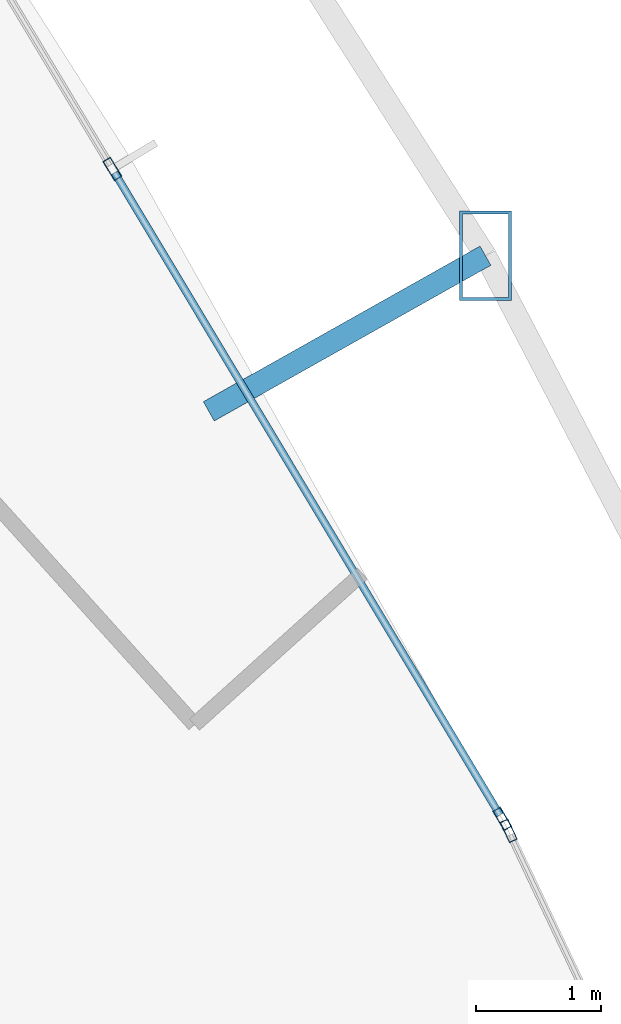
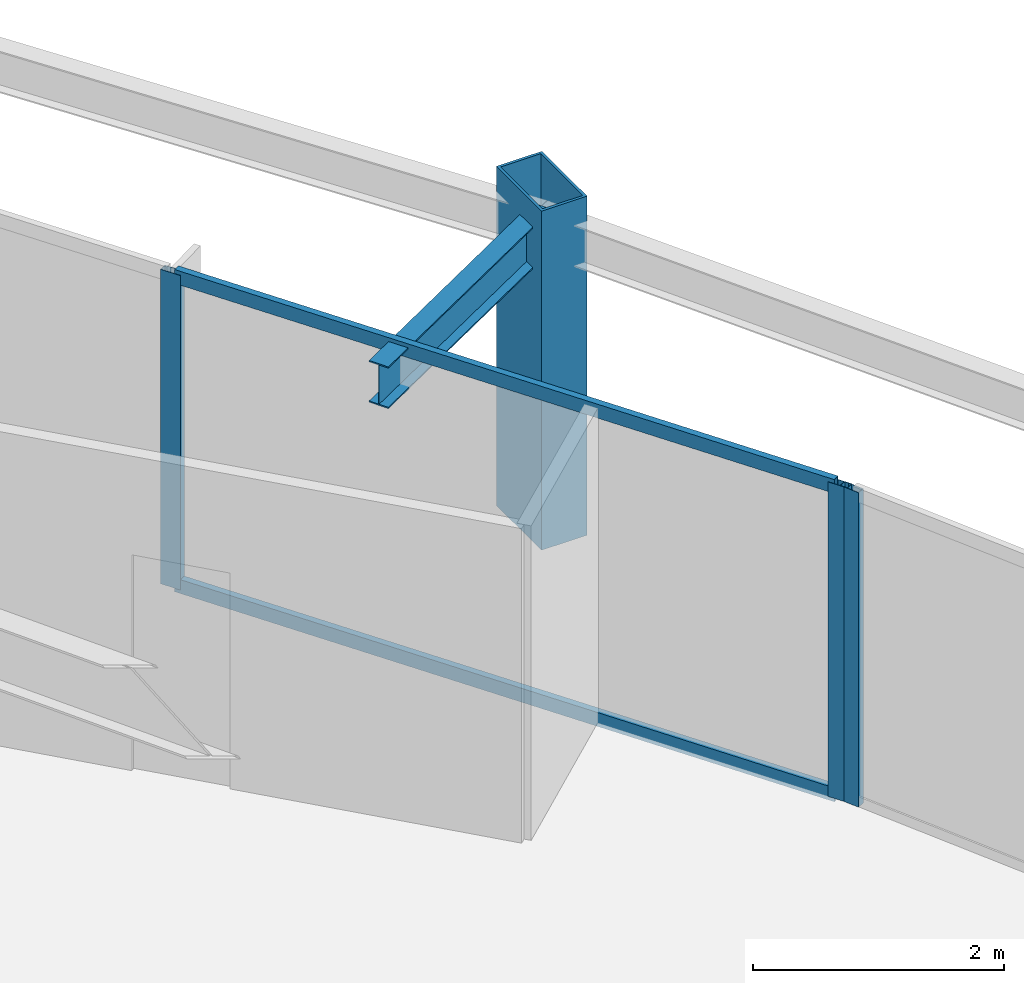
# One storey, part 18 of 34: 6 members, 1 beam, 2 elements without a shape of their own.
"""IFC4 building model written with IfcOpenShell, lengths in metres."""

from ifc_helpers import new_model, si_unit, direction, frame, origin, origin_2d, place, context, subcontext, project, spatial, hollow_rectangle, i_section, extrude, material, layer, layer_set, material_profile, profile_set, type_object, element, aggregate, save


model = new_model("IFC4")

# Units and contexts
model_context = context("Model", 3, precision=1e-05, world=origin(), true_north=direction((0.0, 1.0)))
body_context = subcontext(model_context, "Body", "Model", "MODEL_VIEW")
ifc_project = project(units=[si_unit("LENGTHUNIT", "METRE"), si_unit("AREAUNIT", "SQUARE_METRE"), si_unit("VOLUMEUNIT", "CUBIC_METRE"), si_unit("PLANEANGLEUNIT", "RADIAN"), si_unit("MASSUNIT", "GRAM", prefix="KILO")], contexts=[model_context])

# Site, building, storey
site_placement = place(None, origin())
site = spatial("IfcSite", under=ifc_project, at=site_placement, CompositionType="ELEMENT")
building_placement = place(site_placement, origin())
building = spatial("IfcBuilding", under=site, at=building_placement, Name="Orvanel Arch Residences", CompositionType="ELEMENT")
storey_placement = place(building_placement, frame((0.0, 0.0, 77.449951171875)))
storey = spatial("IfcBuildingStorey", under=building, at=storey_placement, Name="L21", CompositionType="ELEMENT", Elevation=77.449951171875)

# Member
ifc_material_1 = material(Name="Structural steel AS/NZS 3678 Grade 350", Category="steel")
ifc_material_profile_1 = material_profile(ifc_material_1, hollow_rectangle(XDim=0.419921875, YDim=0.719970703125, WallThickness=0.02490234375, at=origin_2d()), Name="RHS720x420x25")
ifc_profile_set_1 = profile_set([ifc_material_profile_1], Name="Structural steel AS/NZS 3678 Grade 350")
member_type_1 = type_object("IfcMemberType", Name="CH-720RHS-EXT", PredefinedType="CHORD", material=ifc_profile_set_1)
member_1_placement = place(storey_placement, frame((52.6279296875, 29.324951171875, 0.0), z_axis=(0.0, 0.0, 1.0), x_axis=(1.0, 0.0, 0.0)))
element("IfcMember", 1, at=member_1_placement, inside=storey, type_object=member_type_1, Name="L21 Outer Perimeter Frame Post 10", PredefinedType="CHORD", context=body_context, shape_type="SweptSolid", body=[
    extrude(hollow_rectangle(XDim=0.419921875, YDim=0.719970703125, WallThickness=0.02490234375, at=origin_2d()), origin(), (0.0, 0.0, 1.0), 3.300048828125),
])

# Curtain wall, member
ifc_material_2 = material(Name="Bronze-anodised aluminium AA6063-T6", Category="aluminium")
ifc_layer = layer(ifc_material_2, 0.179931640625)
ifc_layer_set = layer_set([ifc_layer], Name="Bronze-anodised aluminium AA6063-T6")
curtain_wall_type = type_object("IfcCurtainWallType", Name="CW2-LOW-SYS", PredefinedType="NOTDEFINED", material=ifc_layer_set)
curtain_wall_1_placement = place(storey_placement, origin())
curtain_wall_1 = element("IfcCurtainWall", 2, at=curtain_wall_1_placement, inside=storey, type_object=curtain_wall_type, Name="L21 CW2-LOW-SYS Unitised Curtain Wall", PredefinedType="NOTDEFINED")
ifc_material_profile_2 = material_profile(ifc_material_2, hollow_rectangle(XDim=0.070068359375, YDim=0.179931640625, WallThickness=0.00439453125, at=origin_2d()), Name="ALU180x70x4.5")
ifc_profile_set_2 = profile_set([ifc_material_profile_2], Name="Bronze-anodised aluminium AA6063-T6")
member_type_2 = type_object("IfcMemberType", Name="MUL-180x70", PredefinedType="MULLION", material=ifc_profile_set_2)
member_2_placement = place(storey_placement, frame((52.81396484375, 24.706298828125, 0.0), z_axis=(0.0, 0.0, 1.0), x_axis=(-0.903971140213, -0.427593472426, 0.0)))
member_2 = element("IfcMember", 3, at=member_2_placement, type_object=member_type_2, Name="CW-S2 mullion 3", PredefinedType="MULLION", context=body_context, shape_type="SweptSolid", body=[
    extrude(hollow_rectangle(XDim=0.070068359375, YDim=0.179931640625, WallThickness=0.00439453125, at=origin_2d()), origin(), (0.0, 0.0, 1.0), 3.06005859375),
])
aggregate(curtain_wall_1, [member_2])

# Curtain wall, members
curtain_wall_2_placement = place(storey_placement, origin())
curtain_wall_2 = element("IfcCurtainWall", 4, at=curtain_wall_2_placement, inside=storey, type_object=curtain_wall_type, Name="L21 CW2-LOW-SYS Unitised Curtain Wall", PredefinedType="NOTDEFINED")
member_3_placement = place(storey_placement, frame((52.761962890625, 24.802978515625, 0.0), z_axis=(0.0, 0.0, 1.0), x_axis=(-0.85755059276, -0.514399631471, 0.0)))
member_3 = element("IfcMember", 5, at=member_3_placement, type_object=member_type_2, Name="CW-S2 mullion 1", PredefinedType="MULLION", context=body_context, shape_type="SweptSolid", body=[
    extrude(hollow_rectangle(XDim=0.070068359375, YDim=0.179931640625, WallThickness=0.00439453125, at=origin_2d()), origin(), (0.0, 0.0, 1.0), 3.06005859375),
])
member_4_placement = place(storey_placement, frame((49.632080078125, 30.02099609375, 0.0), z_axis=(0.0, 0.0, 1.0), x_axis=(-0.85755059276, -0.514399631471, 0.0)))
member_4 = element("IfcMember", 6, at=member_4_placement, type_object=member_type_2, Name="CW-S2 mullion 2", PredefinedType="MULLION", context=body_context, shape_type="SweptSolid", body=[
    extrude(hollow_rectangle(XDim=0.070068359375, YDim=0.179931640625, WallThickness=0.00439453125, at=origin_2d()), origin(), (0.0, 0.0, 1.0), 3.06005859375),
])

# Beam
ifc_material_3 = material(Name="Structural steel AS/NZS 3679.1 Grade 300 (300 MPa)", Category="steel")
ifc_material_profile_3 = material_profile(ifc_material_3, i_section(OverallWidth=0.177978515625, OverallDepth=0.406005859375, WebThickness=0.0078125, FlangeThickness=0.0126953125, at=origin_2d()), Name="410UB59.7")
ifc_profile_set_3 = profile_set([ifc_material_profile_3], Name="Structural steel AS/NZS 3679.1 Grade 300 (300 MPa)")
beam_type = type_object("IfcBeamType", Name="OB-410UB-EXT", PredefinedType="SPANDREL", material=ifc_profile_set_3)
beam_placement = place(storey_placement, frame((50.406005859375, 28.074951171875, 2.85693359375), z_axis=(0.871547403263, 0.490311252028, 0.0), x_axis=(-0.490311252028, 0.871547403263, 0.0)))
element("IfcBeam", 7, at=beam_placement, inside=storey, type_object=beam_type, Name="L21 Outer Frame Radial Tie Beam 10", PredefinedType="SPANDREL", context=body_context, shape_type="SweptSolid", body=[
    extrude(i_section(OverallWidth=0.177978515625, OverallDepth=0.406005859375, WebThickness=0.0078125, FlangeThickness=0.0126953125, at=origin_2d()), origin(), (0.0, 0.0, 1.0), 2.54931640625),
])

# Member
ifc_material_profile_4 = material_profile(ifc_material_2, hollow_rectangle(XDim=0.06005859375, YDim=0.135009765625, WallThickness=0.00390625, at=origin_2d()), Name="ALU135x60x4")
ifc_profile_set_4 = profile_set([ifc_material_profile_4], Name="Bronze-anodised aluminium AA6063-T6")
member_type_3 = type_object("IfcMemberType", Name="TRN-135x60", PredefinedType="USERDEFINED", material=ifc_profile_set_4)
member_5_placement = place(storey_placement, frame((52.743896484375, 24.8330078125, 0.030029296875), z_axis=(-0.514400245764, 0.857550224277, 0.0), x_axis=(-0.857550224277, -0.514400245764, 0.0)))
member_5 = element("IfcMember", 8, at=member_5_placement, type_object=member_type_3, Name="CW-S2 transom 1.1", ObjectType="TRANSOM", PredefinedType="USERDEFINED", context=body_context, shape_type="SweptSolid", body=[
    extrude(hollow_rectangle(XDim=0.06005859375, YDim=0.135009765625, WallThickness=0.00390625, at=origin_2d()), origin(), (0.0, 0.0, 1.0), 6.0146484375),
])

member_6_placement = place(storey_placement, frame((52.743896484375, 24.8330078125, 3.030029296875), z_axis=(-0.514400245764, 0.857550224277, 0.0), x_axis=(-0.857550224277, -0.514400245764, 0.0)))
member_6 = element("IfcMember", 9, at=member_6_placement, type_object=member_type_3, Name="CW-S2 transom 1.2", ObjectType="TRANSOM", PredefinedType="USERDEFINED", context=body_context, shape_type="SweptSolid", body=[
    extrude(hollow_rectangle(XDim=0.06005859375, YDim=0.135009765625, WallThickness=0.00390625, at=origin_2d()), origin(), (0.0, 0.0, 1.0), 6.0146484375),
])

aggregate(curtain_wall_2, [member_3, member_4, member_5, member_6])

save(model, "model.ifc")
